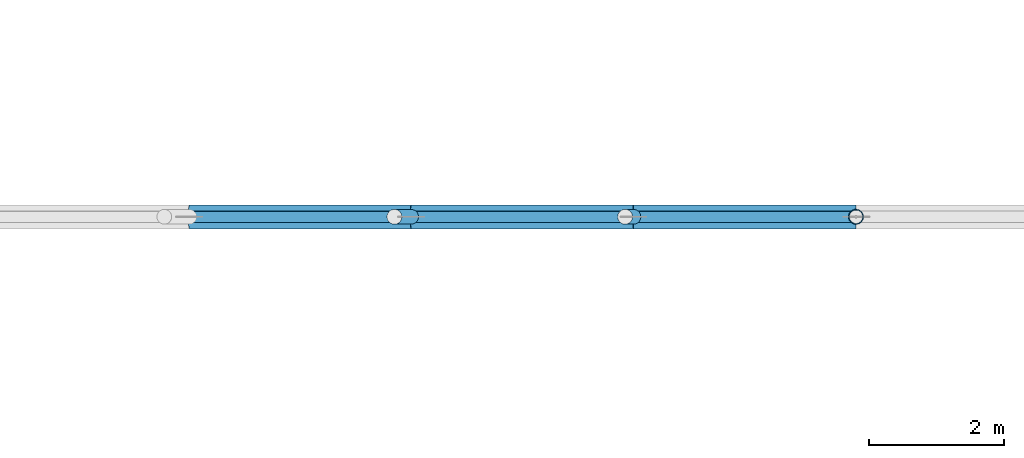
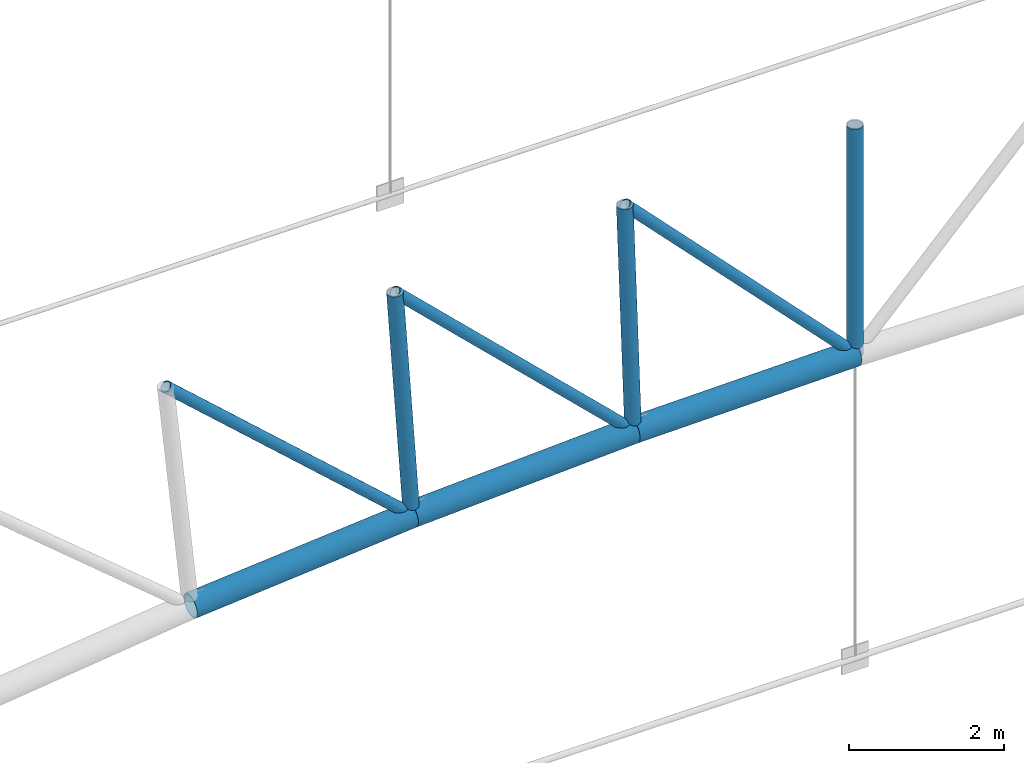
# One storey, part 172 of 321: 9 members.
"""IFC4 building model written with IfcOpenShell, lengths in metres."""

from ifc_helpers import new_model, si_unit, direction, frame, origin, origin_2d, place, context, subcontext, project, spatial, hollow_circle, extrude, material, material_profile, profile_set, type_object, element, save


model = new_model("IFC4")

# Units and contexts
model_context = context("Model", 3, precision=1e-05, world=origin(), true_north=direction((0.0, 1.0)))
body_context = subcontext(model_context, "Body", "Model", "MODEL_VIEW")
ifc_project = project(units=[si_unit("LENGTHUNIT", "METRE"), si_unit("AREAUNIT", "SQUARE_METRE"), si_unit("VOLUMEUNIT", "CUBIC_METRE"), si_unit("PLANEANGLEUNIT", "RADIAN"), si_unit("MASSUNIT", "GRAM", prefix="KILO")], contexts=[model_context])

# Site, building, storey
site_placement = place(None, origin())
site = spatial("IfcSite", under=ifc_project, at=site_placement, CompositionType="ELEMENT")
building_placement = place(site_placement, origin())
building = spatial("IfcBuilding", under=site, at=building_placement, Name="Ravi Spectrum Wholesale Market", CompositionType="ELEMENT")
storey_placement = place(building_placement, frame((0.0, 0.0, 10.800048828125)))
storey = spatial("IfcBuildingStorey", under=building, at=storey_placement, Name="L02", CompositionType="ELEMENT", Elevation=10.800048828125)

# Members
ifc_material_1 = material(Name="Steel S355", Category="steel")
ifc_material_profile_1 = material_profile(ifc_material_1, hollow_circle(Radius=0.084228515625, WallThickness=0.00634765625, at=origin_2d()))
ifc_profile_set_1 = profile_set([ifc_material_profile_1], Name="Steel S355")
member_type_1 = type_object("IfcMemberType", Name="CHS 168.3x6.3 brace", PredefinedType="BRACE", material=ifc_profile_set_1)
member_1_placement = place(storey_placement, frame((59.726806640625, 174.0, 7.867919921875), z_axis=(0.743626505142, 0.0, -0.668595259369), x_axis=(0.0, 1.0, 0.0)))
element("IfcMember", 1, at=member_1_placement, inside=storey, type_object=member_type_1, Name="H1-MB-L02-1052", PredefinedType="BRACE", context=body_context, shape_type="SweptSolid", body=[
    extrude(hollow_circle(Radius=0.084228515625, WallThickness=0.00634765625, at=origin_2d()), origin(), (0.0, 0.0, 1.0), 4.9296875),
])
for number, where, z_axis, x_axis, name in (
    (2, (63.14453125, 174.0, 8.163330078125), (0.7201093859, 0.0, -0.69386055684), (0.0, 1.0, 0.0), "H1-MB-L02-1053"),
    (3, (66.5703125, 174.0, 8.3408203125), (0.695749704847, 0.0, -0.718284308756), (0.0, 1.0, 0.0), "H1-MB-L02-1054"),
):
    element("IfcMember", number, at=place(storey_placement, frame(where, z_axis=z_axis, x_axis=x_axis)), inside=storey, type_object=member_type_1, Name=name, PredefinedType="BRACE", context=body_context, shape_type="SweptSolid", body=[
        extrude(hollow_circle(Radius=0.084228515625, WallThickness=0.00634765625, at=origin_2d()), origin(), (0.0, 0.0, 1.0), 4.929443359375),
    ])
ifc_material_2 = material(Name="Steel S355", Category="steel")
ifc_material_profile_2 = material_profile(ifc_material_2, hollow_circle(Radius=0.109619140625, WallThickness=0.008056640625, at=origin_2d()))
ifc_profile_set_2 = profile_set([ifc_material_profile_2], Name="Steel S355")
member_type_2 = type_object("IfcMemberType", Name="CHS 219.1x8 post", PredefinedType="POST", material=ifc_profile_set_2)
member_2_placement = place(storey_placement, frame((63.14453125, 174.0, 8.163330078125), z_axis=(0.068904502548, 0.0, -0.997623260319), x_axis=(0.0, 1.0, 0.0)))
element("IfcMember", 4, at=member_2_placement, inside=storey, type_object=member_type_2, Name="H1-MB-L02-1030", PredefinedType="POST", context=body_context, shape_type="SweptSolid", body=[
    extrude(hollow_circle(Radius=0.109619140625, WallThickness=0.008056640625, at=origin_2d()), origin(), (0.0, 0.0, 1.0), 3.599853515625),
])
member_3_placement = place(storey_placement, frame((66.5703125, 174.0, 8.3408203125), z_axis=(0.034450597287, 0.0, -0.999406401994), x_axis=(0.0, 1.0, 0.0)))
element("IfcMember", 5, at=member_3_placement, inside=storey, type_object=member_type_2, Name="H1-MB-L02-1031", PredefinedType="POST", context=body_context, shape_type="SweptSolid", body=[
    extrude(hollow_circle(Radius=0.109619140625, WallThickness=0.008056640625, at=origin_2d()), origin(), (0.0, 0.0, 1.0), 3.60009765625),
])
member_4_placement = place(storey_placement, frame((70.0, 174.0, 8.39990234375), z_axis=(0.0, 0.0, -1.0), x_axis=(1.0, 0.0, 0.0)))
element("IfcMember", 6, at=member_4_placement, inside=storey, type_object=member_type_2, Name="H1-MB-L02-1032", PredefinedType="POST", context=body_context, shape_type="SweptSolid", body=[
    extrude(hollow_circle(Radius=0.109619140625, WallThickness=0.008056640625, at=origin_2d()), origin(), (0.0, 0.0, 1.0), 3.599853515625),
])
ifc_material_3 = material(Name="Steel S355", Category="steel")
ifc_material_profile_3 = material_profile(ifc_material_3, hollow_circle(Radius=0.177734375, WallThickness=0.012451171875, at=origin_2d()))
ifc_profile_set_3 = profile_set([ifc_material_profile_3], Name="Steel S355")
member_type_3 = type_object("IfcMemberType", Name="CHS 355.6x12.5 chord", PredefinedType="CHORD", material=ifc_profile_set_3)
member_5_placement = place(storey_placement, frame((60.098876953125, 174.0, 4.287109375), z_axis=(0.99627955827, 0.0, 0.08618028645), x_axis=(0.0, 1.0, 0.0)))
element("IfcMember", 7, at=member_5_placement, inside=storey, type_object=member_type_3, Name="H1-MB-L02-1006", PredefinedType="CHORD", context=body_context, shape_type="SweptSolid", body=[
    extrude(hollow_circle(Radius=0.177734375, WallThickness=0.012451171875, at=origin_2d()), origin(), (0.0, 0.0, 1.0), 3.305908203125),
])
for number, where, z_axis, x_axis, name in (
    (8, (63.392578125, 174.0, 4.572021484375), (0.99866314533, 0.0, 0.051690638992), (0.0, 1.0, 0.0), "H1-MB-L02-1007"),
    (9, (66.6943359375, 174.0, 4.742919921875), (0.999850697486, 0.0, 0.017279546766), (0.0, 1.0, 0.0), "H1-MB-L02-1008"),
):
    element("IfcMember", number, at=place(storey_placement, frame(where, z_axis=z_axis, x_axis=x_axis)), inside=storey, type_object=member_type_3, Name=name, PredefinedType="CHORD", context=body_context, shape_type="SweptSolid", body=[
        extrude(hollow_circle(Radius=0.177734375, WallThickness=0.012451171875, at=origin_2d()), origin(), (0.0, 0.0, 1.0), 3.30615234375),
    ])

save(model, "model.ifc")
